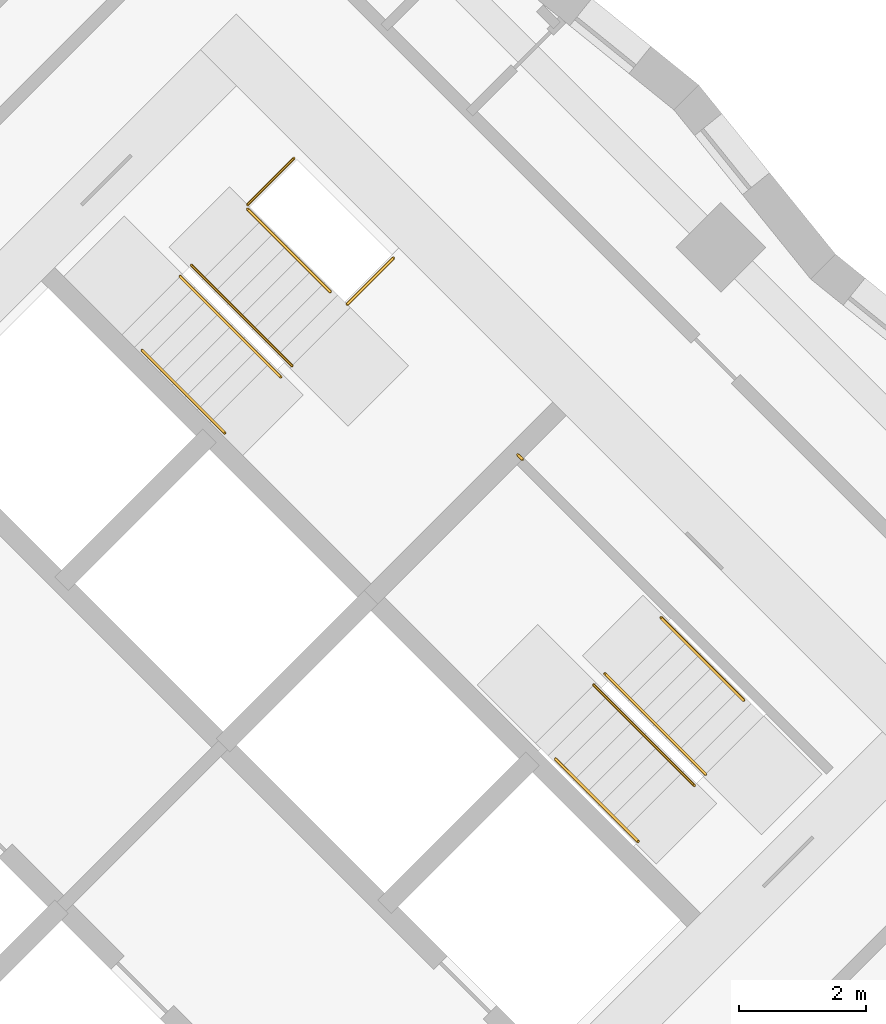
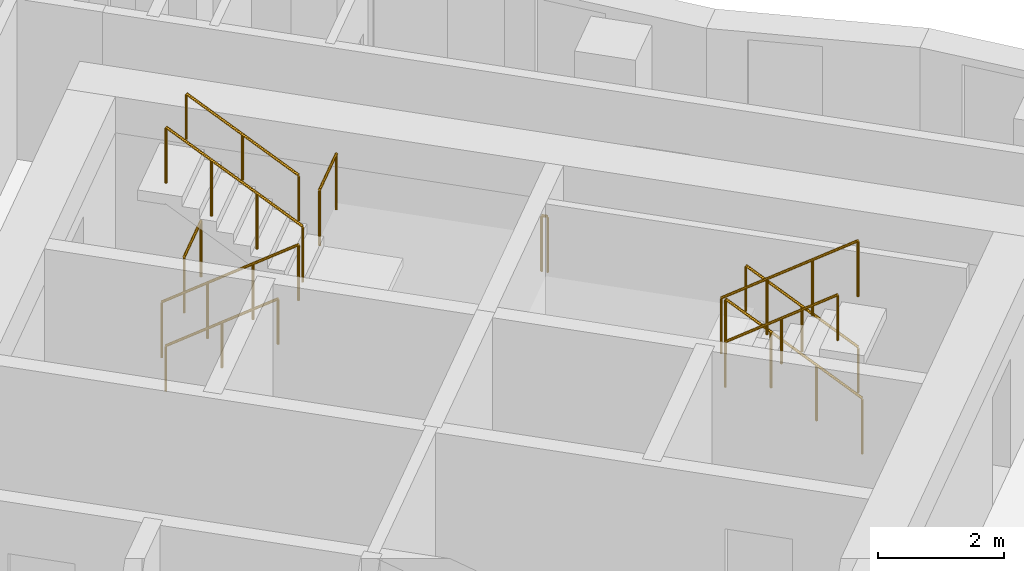
# One storey, part 12 of 12: 11 railings.
"""IFC4 building model written with IfcOpenShell, lengths in metres."""

from ifc_helpers import new_model, si_unit, direction, frame, origin, origin_2d, place, context, subcontext, project, spatial, circle, extrude, material, type_object, element, save


model = new_model("IFC4")

# Units and contexts
model_context = context("Model", 3, precision=1e-05, world=origin(), true_north=direction((0.0, 1.0)))
body_context = subcontext(model_context, "Body", "Model", "MODEL_VIEW")
ifc_project = project(units=[si_unit("LENGTHUNIT", "METRE"), si_unit("AREAUNIT", "SQUARE_METRE"), si_unit("VOLUMEUNIT", "CUBIC_METRE"), si_unit("PLANEANGLEUNIT", "RADIAN"), si_unit("MASSUNIT", "GRAM", prefix="KILO")], contexts=[model_context])

# Site, building, storey
site_placement = place(None, origin())
site = spatial("IfcSite", under=ifc_project, at=site_placement, CompositionType="ELEMENT")
building_placement = place(site_placement, origin())
building = spatial("IfcBuilding", under=site, at=building_placement, Name="Windrow Commons", CompositionType="ELEMENT")
storey_placement = place(building_placement, frame((0.0, 0.0, 88.0)))
storey = spatial("IfcBuildingStorey", under=building, at=storey_placement, Name="L23", CompositionType="ELEMENT", Elevation=88.0)

# Railings
ifc_material_1 = material(Name="Steel S355", Category="steel")
railing_type_1 = type_object("IfcRailingType", Name="Core stair guard 1100", PredefinedType="GUARDRAIL", material=ifc_material_1)
railing_1_placement = place(storey_placement, frame((85.9529, 56.2669, 0.1889)))
element("IfcRailing", 1, at=railing_1_placement, inside=storey, type_object=railing_type_1, Name="L23 ST-B1 stair guard 1", PredefinedType="GUARDRAIL", context=body_context, shape_type="SweptSolid", body=[
    extrude(circle(Radius=0.024, at=origin_2d()), frame((0.0, 0.0, 1.076), z_axis=(0.5861914914, -0.5861914914, 0.5592486664), x_axis=(0.7071067812, 0.7071067812, 0.0)), (0.0, 0.0, 1.0), 2.702),
    extrude(circle(Radius=0.021, at=origin_2d()), origin(), (0.0, 0.0, 1.0), 1.052),
    extrude(circle(Radius=0.021, at=origin_2d()), frame((0.528, -0.528, 0.5037)), (0.0, 0.0, 1.0), 1.052),
    extrude(circle(Radius=0.021, at=origin_2d()), frame((1.0559, -1.0559, 1.0074)), (0.0, 0.0, 1.0), 1.052),
    extrude(circle(Radius=0.021, at=origin_2d()), frame((1.5839, -1.5839, 1.5111)), (0.0, 0.0, 1.0), 1.052),
])
railing_2_placement = place(storey_placement, frame((87.7136, 54.8597, 1.8889)))
element("IfcRailing", 2, at=railing_2_placement, inside=storey, type_object=railing_type_1, Name="L23 ST-B1 stair guard 2", PredefinedType="GUARDRAIL", context=body_context, shape_type="SweptSolid", body=[
    extrude(circle(Radius=0.024, at=origin_2d()), frame((0.0, 0.0, 1.076), z_axis=(-0.5862030657, 0.5862030657, 0.5592244018), x_axis=(-0.7071067812, -0.7071067812, 0.0)), (0.0, 0.0, 1.0), 2.7021),
    extrude(circle(Radius=0.021, at=origin_2d()), origin(), (0.0, 0.0, 1.0), 1.052),
    extrude(circle(Radius=0.021, at=origin_2d()), frame((-0.528, 0.528, 0.5037)), (0.0, 0.0, 1.0), 1.052),
    extrude(circle(Radius=0.021, at=origin_2d()), frame((-1.056, 1.056, 1.0074)), (0.0, 0.0, 1.0), 1.052),
    extrude(circle(Radius=0.021, at=origin_2d()), frame((-1.584, 1.584, 1.5111)), (0.0, 0.0, 1.0), 1.052),
])
railing_3_placement = place(storey_placement, frame((87.0135, 57.3982, 0.0)))
element("IfcRailing", 3, at=railing_3_placement, inside=storey, type_object=railing_type_1, Name="L23 ST-B1 stair guard 3", PredefinedType="GUARDRAIL", context=body_context, shape_type="SweptSolid", body=[
    extrude(circle(Radius=0.024, at=origin_2d()), frame((0.0, 0.0, 1.076), z_axis=(0.7070582378, 0.7071553212, 0.0), x_axis=(-0.7071553212, 0.7070582378, 0.0)), (0.0, 0.0, 1.0), 1.03),
    extrude(circle(Radius=0.021, at=origin_2d()), origin(), (0.0, 0.0, 1.0), 1.052),
    extrude(circle(Radius=0.021, at=origin_2d()), frame((0.7283, 0.7284, 0.0)), (0.0, 0.0, 1.0), 1.052),
])
railing_4_placement = place(storey_placement, frame((88.5833, 55.8285, 1.7)))
element("IfcRailing", 4, at=railing_4_placement, inside=storey, type_object=railing_type_1, Name="L23 ST-B1 stair guard 4", PredefinedType="GUARDRAIL", context=body_context, shape_type="SweptSolid", body=[
    extrude(circle(Radius=0.024, at=origin_2d()), frame((0.0, 0.0, 1.076), z_axis=(0.7071067812, 0.7071067812, 0.0), x_axis=(-0.7071067812, 0.7071067812, 0.0)), (0.0, 0.0, 1.0), 1.03),
    extrude(circle(Radius=0.021, at=origin_2d()), origin(), (0.0, 0.0, 1.0), 1.052),
    extrude(circle(Radius=0.021, at=origin_2d()), frame((0.7283, 0.7283, 0.0)), (0.0, 0.0, 1.0), 1.052),
])
railing_5_placement = place(storey_placement, frame((94.2296, 48.4215, 0.1889)))
element("IfcRailing", 5, at=railing_5_placement, inside=storey, type_object=railing_type_1, Name="L23 ST-B2 stair guard 1", PredefinedType="GUARDRAIL", context=body_context, shape_type="SweptSolid", body=[
    extrude(circle(Radius=0.024, at=origin_2d()), frame((0.0, 0.0, 1.076), z_axis=(-0.5862157828, 0.5861787742, 0.5592365337), x_axis=(-0.7070844598, -0.7071291018, 0.0)), (0.0, 0.0, 1.0), 2.7021),
    extrude(circle(Radius=0.021, at=origin_2d()), origin(), (0.0, 0.0, 1.0), 1.052),
    extrude(circle(Radius=0.021, at=origin_2d()), frame((-0.528, 0.528, 0.5037)), (0.0, 0.0, 1.0), 1.052),
    extrude(circle(Radius=0.021, at=origin_2d()), frame((-1.056, 1.0559, 1.0074)), (0.0, 0.0, 1.0), 1.052),
    extrude(circle(Radius=0.021, at=origin_2d()), frame((-1.584, 1.5839, 1.5111)), (0.0, 0.0, 1.0), 1.052),
])
railing_6_placement = place(storey_placement, frame((92.4689, 49.8287, 1.8889)))
element("IfcRailing", 6, at=railing_6_placement, inside=storey, type_object=railing_type_1, Name="L23 ST-B2 stair guard 2", PredefinedType="GUARDRAIL", context=body_context, shape_type="SweptSolid", body=[
    extrude(circle(Radius=0.024, at=origin_2d()), frame((0.0, 0.0, 1.076), z_axis=(0.5861787742, -0.5862157828, 0.5592365337), x_axis=(0.7071291018, 0.7070844598, 0.0)), (0.0, 0.0, 1.0), 2.7021),
    extrude(circle(Radius=0.021, at=origin_2d()), origin(), (0.0, 0.0, 1.0), 1.052),
    extrude(circle(Radius=0.021, at=origin_2d()), frame((0.528, -0.528, 0.5037)), (0.0, 0.0, 1.0), 1.052),
    extrude(circle(Radius=0.021, at=origin_2d()), frame((1.0559, -1.056, 1.0074)), (0.0, 0.0, 1.0), 1.052),
    extrude(circle(Radius=0.021, at=origin_2d()), frame((1.5839, -1.584, 1.5111)), (0.0, 0.0, 1.0), 1.052),
])
railing_7_placement = place(storey_placement, frame((91.3446, 53.3854, 1.7)))
element("IfcRailing", 7, at=railing_7_placement, inside=storey, type_object=railing_type_1, Name="L23 ST-B2 stair guard 3", PredefinedType="GUARDRAIL", context=body_context, shape_type="SweptSolid", body=[
    extrude(circle(Radius=0.024, at=origin_2d()), frame((0.0, 0.0, 1.076), z_axis=(-0.7076063266, 0.7066068826, 0.0), x_axis=(-0.7066068826, -0.7076063266, 0.0)), (0.0, 0.0, 1.0), 0.1001),
    extrude(circle(Radius=0.021, at=origin_2d()), origin(), (0.0, 0.0, 1.0), 1.052),
    extrude(circle(Radius=0.021, at=origin_2d()), frame((-0.0708, 0.0707, 0.0)), (0.0, 0.0, 1.0), 1.052),
])
ifc_material_2 = material(Name="Steel S355", Category="steel")
railing_type_2 = type_object("IfcRailingType", Name="Core stair handrail 900", PredefinedType="HANDRAIL", material=ifc_material_2)
railing_8_placement = place(storey_placement, frame((85.3518, 55.1001, 0.4587)))
element("IfcRailing", 8, at=railing_8_placement, inside=storey, type_object=railing_type_2, Name="L23 ST-B1 stair handrail 1", PredefinedType="HANDRAIL", context=body_context, shape_type="SweptSolid", body=[
    extrude(circle(Radius=0.024, at=origin_2d()), frame((0.0, 0.0, 0.876), z_axis=(0.586206706, -0.5861616513, 0.5592639952), x_axis=(0.7070796062, 0.7071339551, 0.0)), (0.0, 0.0, 1.0), 2.2195),
    extrude(circle(Radius=0.021, at=origin_2d()), origin(), (0.0, 0.0, 1.0), 0.852),
    extrude(circle(Radius=0.021, at=origin_2d()), frame((0.6506, -0.6505, 0.6207)), (0.0, 0.0, 1.0), 0.852),
    extrude(circle(Radius=0.021, at=origin_2d()), frame((1.3011, -1.301, 1.2413)), (0.0, 0.0, 1.0), 0.852),
])
for number, where, name in (
    (9, (88.3146, 56.0265, 2.1587), "L23 ST-B1 stair handrail 2"),
    (10, (94.8306, 49.5883, 0.4587), "L23 ST-B2 stair handrail 1"),
):
    element("IfcRailing", number, at=place(storey_placement, frame(where)), inside=storey, type_object=railing_type_2, Name=name, PredefinedType="HANDRAIL", context=body_context, shape_type="SweptSolid", body=[
        extrude(circle(Radius=0.024, at=origin_2d()), frame((0.0, 0.0, 0.876), z_axis=(-0.586206706, 0.5861616513, 0.5592639952), x_axis=(-0.7070796062, -0.7071339551, 0.0)), (0.0, 0.0, 1.0), 2.2195),
        extrude(circle(Radius=0.021, at=origin_2d()), origin(), (0.0, 0.0, 1.0), 0.852),
        extrude(circle(Radius=0.021, at=origin_2d()), frame((-0.6506, 0.6505, 0.6207)), (0.0, 0.0, 1.0), 0.852),
        extrude(circle(Radius=0.021, at=origin_2d()), frame((-1.3011, 1.301, 1.2413)), (0.0, 0.0, 1.0), 0.852),
    ])
railing_9_placement = place(storey_placement, frame((91.8678, 48.6619, 2.1587)))
element("IfcRailing", 11, at=railing_9_placement, inside=storey, type_object=railing_type_2, Name="L23 ST-B2 stair handrail 2", PredefinedType="HANDRAIL", context=body_context, shape_type="SweptSolid", body=[
    extrude(circle(Radius=0.024, at=origin_2d()), frame((0.0, 0.0, 0.876), z_axis=(0.586206706, -0.5861616513, 0.5592639952), x_axis=(0.7070796062, 0.7071339551, 0.0)), (0.0, 0.0, 1.0), 2.2195),
    extrude(circle(Radius=0.021, at=origin_2d()), origin(), (0.0, 0.0, 1.0), 0.852),
    extrude(circle(Radius=0.021, at=origin_2d()), frame((0.6505, -0.6505, 0.6207)), (0.0, 0.0, 1.0), 0.852),
    extrude(circle(Radius=0.021, at=origin_2d()), frame((1.3011, -1.301, 1.2413)), (0.0, 0.0, 1.0), 0.852),
])

save(model, "model.ifc")
